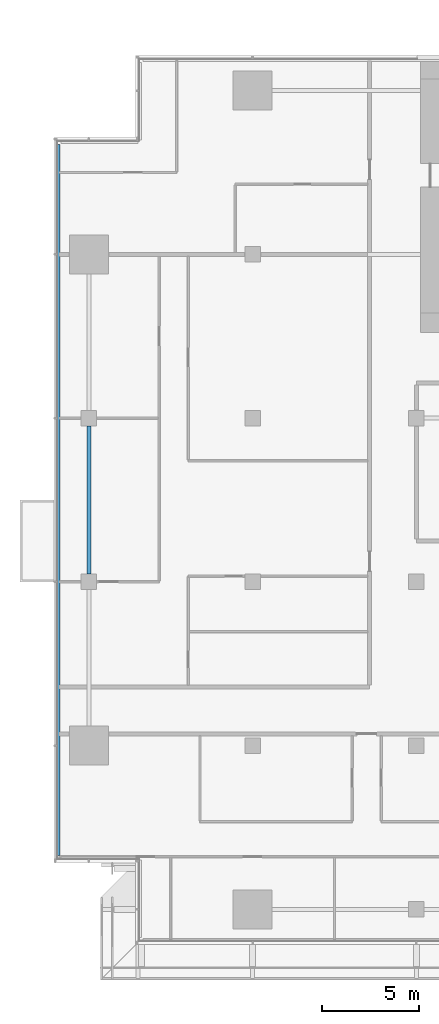
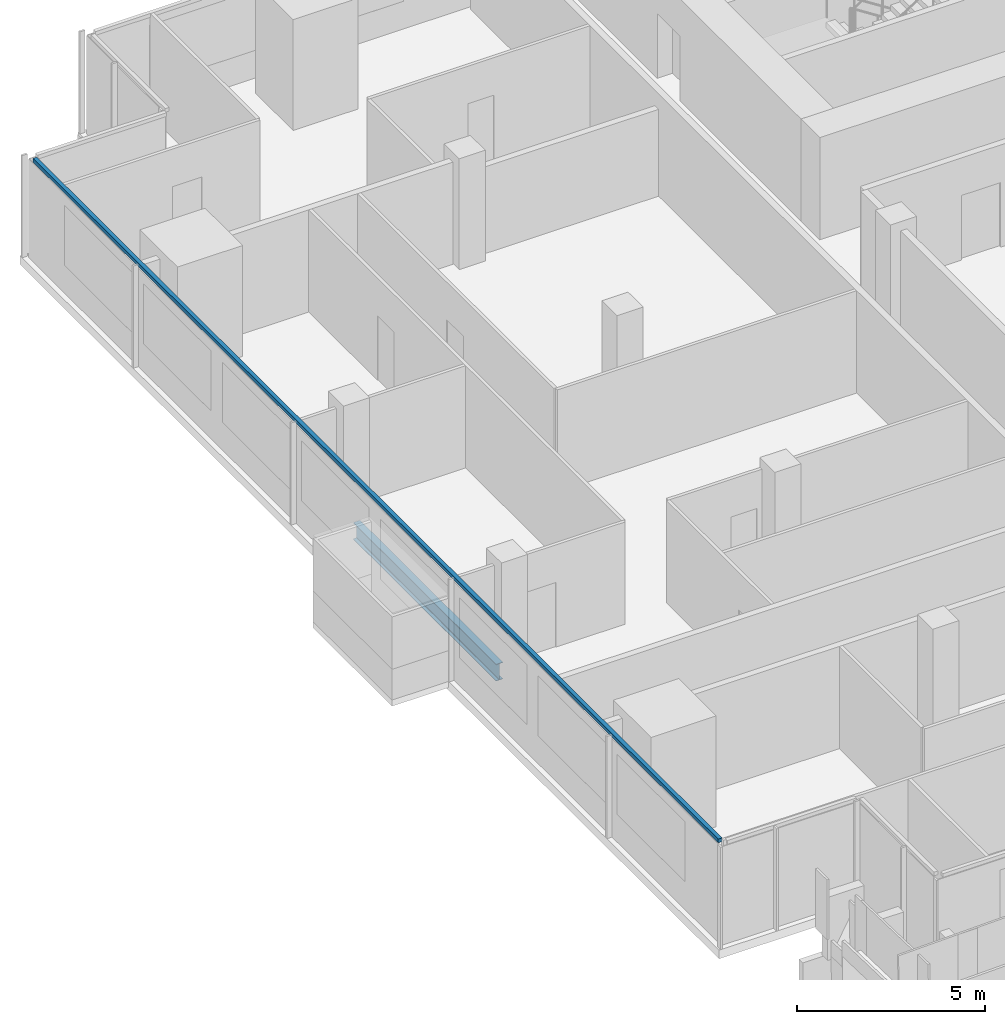
# One storey, part 3 of 29: 1 beam, 1 member, 1 element without a shape of its own.
"""IFC4 building model written with IfcOpenShell, lengths in metres."""

import ifcopenshell
import ifcopenshell.guid

model = None  # the IFC model being written
_history = None  # IfcOwnerHistory: only IFC2X3 demands one
_inside = {}  # id of a spatial element -> (the spatial element, [elements in it])
_under = {}  # id of a project, library or spatial element -> (it, [spatial elements below it])
_declared = {}  # id of a project -> (the project, [libraries it declares])
_typed = {}  # id of a type object -> (the type object, [elements of that type])
_made_of = {}  # id of a material, layer set ... -> (it, [elements and type objects made of it])


def new_model(schema):
    """Start an empty IFC model of exactly this schema.

    Asked for "IFC4X3", IfcOpenShell would pick the latest addendum, in which some entities
    have other attributes; the version numbers below select the first issue.
    IFC2X3 requires an IfcOwnerHistory on every rooted entity: one is made here for all.
    """
    global model, _history
    if schema == "IFC4X3":
        model = ifcopenshell.file(schema_version=(4, 3, 0, 0))
    else:
        model = ifcopenshell.file(schema=schema)
    _inside.clear()
    _under.clear()
    _declared.clear()
    _typed.clear()
    _made_of.clear()
    _history = None
    if model.schema == "IFC2X3":
        org = make("IfcOrganization", Name="unknown")
        user = make(
            "IfcPersonAndOrganization",
            ThePerson=make("IfcPerson", FamilyName="unknown"),
            TheOrganization=org,
        )
        app = make(
            "IfcApplication",
            ApplicationDeveloper=org,
            Version="unknown",
            ApplicationFullName="unknown",
            ApplicationIdentifier="unknown",
        )
        _history = make(
            "IfcOwnerHistory",
            OwningUser=user,
            OwningApplication=app,
            ChangeAction="ADDED",
            CreationDate=0,
        )
    return model


def make(cls, **values):
    """One entity of the class cls with the attributes given. An attribute that is None is left unset."""
    return model.create_entity(
        cls, **{name: value for name, value in values.items() if value is not None}
    )


def rooted(cls, **values):
    """An entity with a GlobalId (a new one), such as an element, a storey or a relation."""
    return make(cls, GlobalId=ifcopenshell.guid.new(), OwnerHistory=_history, **values)


def si_unit(unit_type, name, prefix=None):
    """IfcSIUnit, for example si_unit("LENGTHUNIT", "METRE", prefix="MILLI")."""
    return make("IfcSIUnit", UnitType=unit_type, Prefix=prefix, Name=name)


def assignment(units):
    """IfcUnitAssignment: the units of a project."""
    return None if units is None else make("IfcUnitAssignment", Units=units)


def point(xyz):
    """IfcCartesianPoint."""
    return None if xyz is None else make("IfcCartesianPoint", Coordinates=xyz)


def direction(xyz):
    """IfcDirection."""
    return None if xyz is None else make("IfcDirection", DirectionRatios=xyz)


def frame(location, z_axis=None, x_axis=None):
    """IfcAxis2Placement3D, a coordinate frame: its origin and axes. An axis left out is left unset."""
    return make(
        "IfcAxis2Placement3D",
        Location=point(location),
        Axis=direction(z_axis),
        RefDirection=direction(x_axis),
    )


def frame_2d(location, x_axis=None):
    """IfcAxis2Placement2D, a coordinate frame in the plane: its origin and x axis."""
    return make(
        "IfcAxis2Placement2D", Location=point(location), RefDirection=direction(x_axis)
    )


def origin():
    """The frame at (0, 0, 0) with its axes left unset."""
    return frame((0.0, 0.0, 0.0))


def origin_2d():
    """The frame at (0, 0) in the plane with its x axis left unset."""
    return frame_2d((0.0, 0.0))


def place(relative_to, where):
    """IfcLocalPlacement: puts the frame where relative to a parent placement (None: the world)."""
    return make(
        "IfcLocalPlacement", PlacementRelTo=relative_to, RelativePlacement=where
    )


def context(
    kind, dimensions, precision=None, world=None, true_north=None, identifier=None
):
    """IfcGeometricRepresentationContext, for example the 3D "Model" context."""
    return make(
        "IfcGeometricRepresentationContext",
        ContextIdentifier=identifier,
        ContextType=kind,
        CoordinateSpaceDimension=dimensions,
        Precision=precision,
        WorldCoordinateSystem=world,
        TrueNorth=true_north,
    )


def subcontext(parent, identifier, kind, view, scale=None):
    """IfcGeometricRepresentationSubContext, for example "Body" below "Model"."""
    return make(
        "IfcGeometricRepresentationSubContext",
        ContextIdentifier=identifier,
        ContextType=kind,
        ParentContext=parent,
        TargetScale=scale,
        TargetView=view,
    )


def project(units=None, contexts=None):
    """IfcProject with its units and contexts."""
    return rooted(
        "IfcProject",
        Name="project",
        RepresentationContexts=contexts,
        UnitsInContext=assignment(units),
    )


def spatial(cls, under=None, at=None, **own):
    """A site, building, storey or space (cls), placed at a placement, below another one or the project."""
    s = rooted(cls, ObjectPlacement=at, **own)
    if under is not None:
        _under.setdefault(under.id(), (under, []))[1].append(s)
    return s


def profile(cls, at=None, kind="AREA", **sizes):
    """A parametric profile (cls). Its sizes go by their IFC names, for example OverallWidth=200.0."""
    return make(cls, ProfileType=kind, Position=at, **sizes)


def rectangle(**sizes):
    """IfcRectangleProfileDef."""
    return profile("IfcRectangleProfileDef", **sizes)


def i_section(**sizes):
    """IfcIShapeProfileDef."""
    return profile("IfcIShapeProfileDef", **sizes)


def extrude(swept, where, along, depth):
    """IfcExtrudedAreaSolid: the profile swept, set in the frame where, extruded along a direction by depth."""
    return make(
        "IfcExtrudedAreaSolid",
        SweptArea=swept,
        Position=where,
        ExtrudedDirection=direction(along),
        Depth=depth,
    )


def shape(context_of_items, identifier, shape_type, items):
    """IfcShapeRepresentation: the items that make up one representation, for example the "Body"."""
    return make(
        "IfcShapeRepresentation",
        ContextOfItems=context_of_items,
        RepresentationIdentifier=identifier,
        RepresentationType=shape_type,
        Items=items,
    )


def material(Name=None, Category=None):
    """IfcMaterial."""
    return make("IfcMaterial", Name=Name, Category=Category)


def material_profile(
    of_material, cross_section, Name=None, Category=None, Priority=None
):
    """IfcMaterialProfile: a cross section and its material."""
    return make(
        "IfcMaterialProfile",
        Name=Name,
        Material=of_material,
        Profile=cross_section,
        Priority=Priority,
        Category=Category,
    )


def profile_set(profiles, Name=None, composite=None):
    """IfcMaterialProfileSet."""
    return make(
        "IfcMaterialProfileSet",
        Name=Name,
        MaterialProfiles=profiles,
        CompositeProfile=composite,
    )


def made_of(thing, what):
    """Note that an element or type object is made of a material, layer set ...; save() writes the relation."""
    if what is not None:
        _made_of.setdefault(what.id(), (what, []))[1].append(thing)
    return thing


def type_object(cls, material=None, **own):
    """A type object (cls), such as IfcWallType, which elements share."""
    return made_of(rooted(cls, **own), material)


def element(
    cls,
    number,
    at=None,
    inside=None,
    cuts=None,
    type_object=None,
    material=None,
    context=None,
    identifier="Body",
    shape_type=None,
    held_by="IfcProductDefinitionShape",
    body=None,
    shapes=None,
    **own,
):
    """One element of the class cls, such as IfcWall. Its Tag is "e" and its number.

    at: its placement. inside: the storey or other place that contains it. cuts: it is an
    opening in that element (IfcRelVoidsElement). A single representation is given by context,
    identifier, shape_type and body (its items); several are given by shapes. held_by: the class
    of the entity that holds the representations. save() writes the other relations.
    """
    e = rooted(cls, Tag="e%d" % number, ObjectPlacement=at, **own)
    if body is not None:
        shapes = [shape(context, identifier, shape_type, body)]
    if shapes is not None:
        e.Representation = make(held_by, Representations=shapes)
    if inside is not None:
        _inside.setdefault(inside.id(), (inside, []))[1].append(e)
    if cuts is not None:
        rooted(
            "IfcRelVoidsElement", RelatingBuildingElement=cuts, RelatedOpeningElement=e
        )
    if type_object is not None:
        _typed.setdefault(type_object.id(), (type_object, []))[1].append(e)
    return made_of(e, material)


def aggregate(whole, parts):
    """IfcRelAggregates: a whole, such as a stair, and the parts it consists of."""
    return rooted("IfcRelAggregates", RelatingObject=whole, RelatedObjects=parts)


def save(model, path):
    """Write the relations noted so far, then the file.

    IfcRelAggregates (storeys below a building ...), IfcRelContainedInSpatialStructure (elements
    in a storey), IfcRelDefinesByType, IfcRelAssociatesMaterial and IfcRelDeclares: one each for
    every whole, place, type object, material and project.
    """
    for whole, parts in _under.values():
        aggregate(whole, parts)
    for where, things in _inside.values():
        rooted(
            "IfcRelContainedInSpatialStructure",
            RelatedElements=things,
            RelatingStructure=where,
        )
    for kind, things in _typed.values():
        rooted("IfcRelDefinesByType", RelatedObjects=things, RelatingType=kind)
    for what, things in _made_of.values():
        rooted("IfcRelAssociatesMaterial", RelatedObjects=things, RelatingMaterial=what)
    for by, libraries in _declared.values():
        rooted("IfcRelDeclares", RelatingContext=by, RelatedDefinitions=libraries)
    model.write(path)


model = new_model("IFC4")

# Units and contexts
model_context = context("Model", 3, precision=1e-05, world=origin(), true_north=direction((0.0, 1.0)))
body_context = subcontext(model_context, "Body", "Model", "MODEL_VIEW")
ifc_project = project(units=[si_unit("LENGTHUNIT", "METRE"), si_unit("AREAUNIT", "SQUARE_METRE"), si_unit("VOLUMEUNIT", "CUBIC_METRE"), si_unit("PLANEANGLEUNIT", "RADIAN"), si_unit("MASSUNIT", "GRAM", prefix="KILO")], contexts=[model_context])

# Site, building, storey
site_placement = place(None, origin())
site = spatial("IfcSite", under=ifc_project, at=site_placement, CompositionType="ELEMENT")
building_placement = place(site_placement, origin())
building = spatial("IfcBuilding", under=site, at=building_placement, Name="Saffron Gate Tower", CompositionType="ELEMENT")
storey_placement = place(building_placement, frame((0.0, 0.0, 116.85009765625)))
storey = spatial("IfcBuildingStorey", under=building, at=storey_placement, Name="L27", CompositionType="ELEMENT", Elevation=116.85009765625)

# Beam
ifc_material_1 = material(Name="Structural steel S355", Category="steel")
ifc_material_profile_1 = material_profile(ifc_material_1, i_section(OverallWidth=0.2099609375, OverallDepth=0.550048828125, WebThickness=0.010986328125, FlangeThickness=0.01708984375, FilletRadius=0.02392578125, at=origin_2d()))
ifc_profile_set_1 = profile_set([ifc_material_profile_1], Name="Structural steel S355")
beam_type = type_object("IfcBeamType", Name="B13 IPE 550", PredefinedType="SPANDREL", material=ifc_profile_set_1)
beam_placement = place(storey_placement, frame((49.800048828125, 49.0, -0.55517578125), z_axis=(0.0, 1.0, 0.0), x_axis=(-1.0, 0.0, 0.0)))
element("IfcBeam", 1, at=beam_placement, inside=storey, type_object=beam_type, Name="B13 SPANDREL BEAM", PredefinedType="SPANDREL", context=body_context, shape_type="SweptSolid", body=[
    extrude(i_section(OverallWidth=0.2099609375, OverallDepth=0.550048828125, WebThickness=0.010986328125, FlangeThickness=0.01708984375, FilletRadius=0.02392578125, at=origin_2d()), origin(), (0.0, 0.0, 1.0), 7.60009765625),
])

# Curtain wall, member
ifc_material_2 = material(Name="Aluminium, bronze anodised", Category="aluminium")
curtain_wall_type = type_object("IfcCurtainWallType", Name="CWS2 curtain wall side facades", PredefinedType="NOTDEFINED", material=ifc_material_2)
curtain_wall_placement = place(storey_placement, origin())
curtain_wall = element("IfcCurtainWall", 2, at=curtain_wall_placement, inside=storey, type_object=curtain_wall_type, Name="CWS2 run 10", PredefinedType="NOTDEFINED")
ifc_material_profile_2 = material_profile(ifc_material_2, rectangle(XDim=0.1201171875, YDim=0.1201171875, at=origin_2d()))
ifc_profile_set_2 = profile_set([ifc_material_profile_2], Name="Aluminium, bronze anodised")
member_type = type_object("IfcMemberType", Name="CWS2 head transom", PredefinedType="USERDEFINED", material=ifc_profile_set_2)
member_placement = place(storey_placement, frame((48.248046875, 71.031982421875, 3.260009765625), z_axis=(0.0, -1.0, 0.0), x_axis=(1.0, 0.0, 0.0)))
member = element("IfcMember", 3, at=member_placement, type_object=member_type, Name="CWS2 head transom", ObjectType="TRANSOM", PredefinedType="USERDEFINED", context=body_context, shape_type="SweptSolid", body=[
    extrude(rectangle(XDim=0.1201171875, YDim=0.1201171875, at=origin_2d()), origin(), (0.0, 0.0, 1.0), 36.4638671875),
])
aggregate(curtain_wall, [member])

save(model, "model.ifc")
